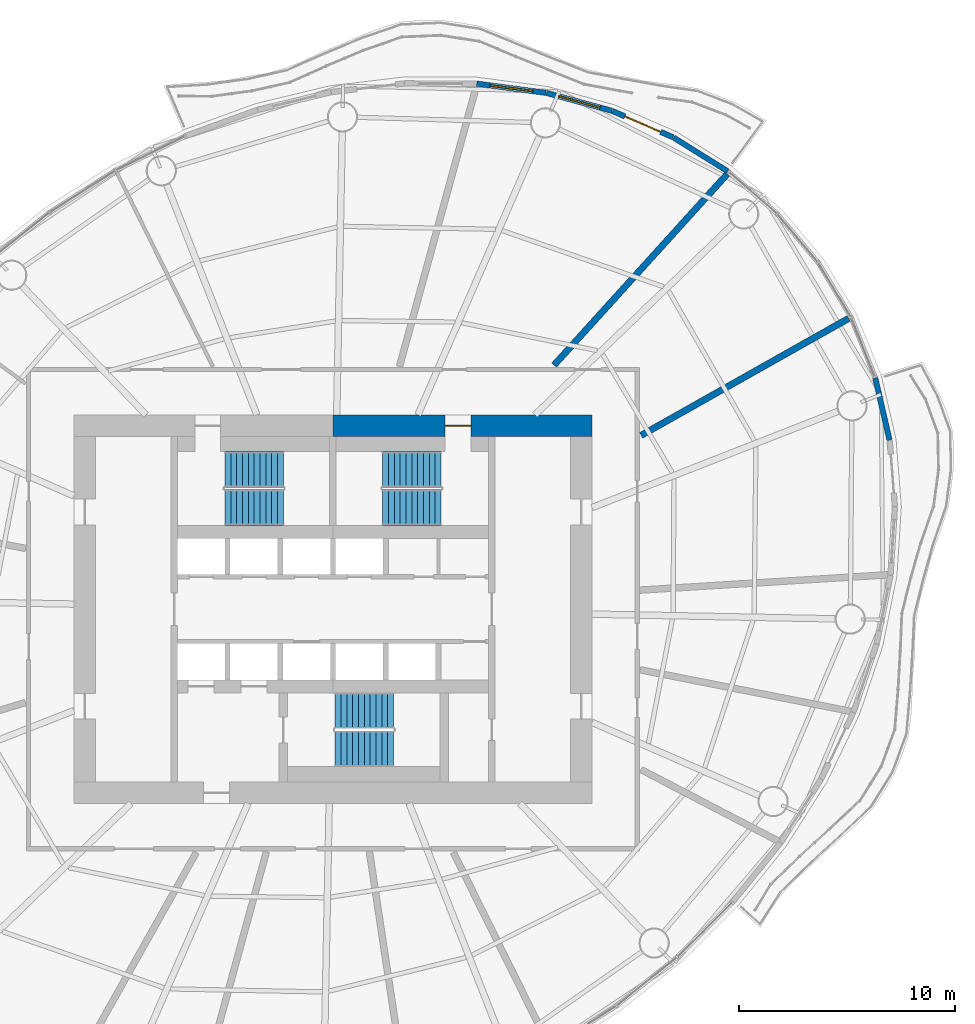
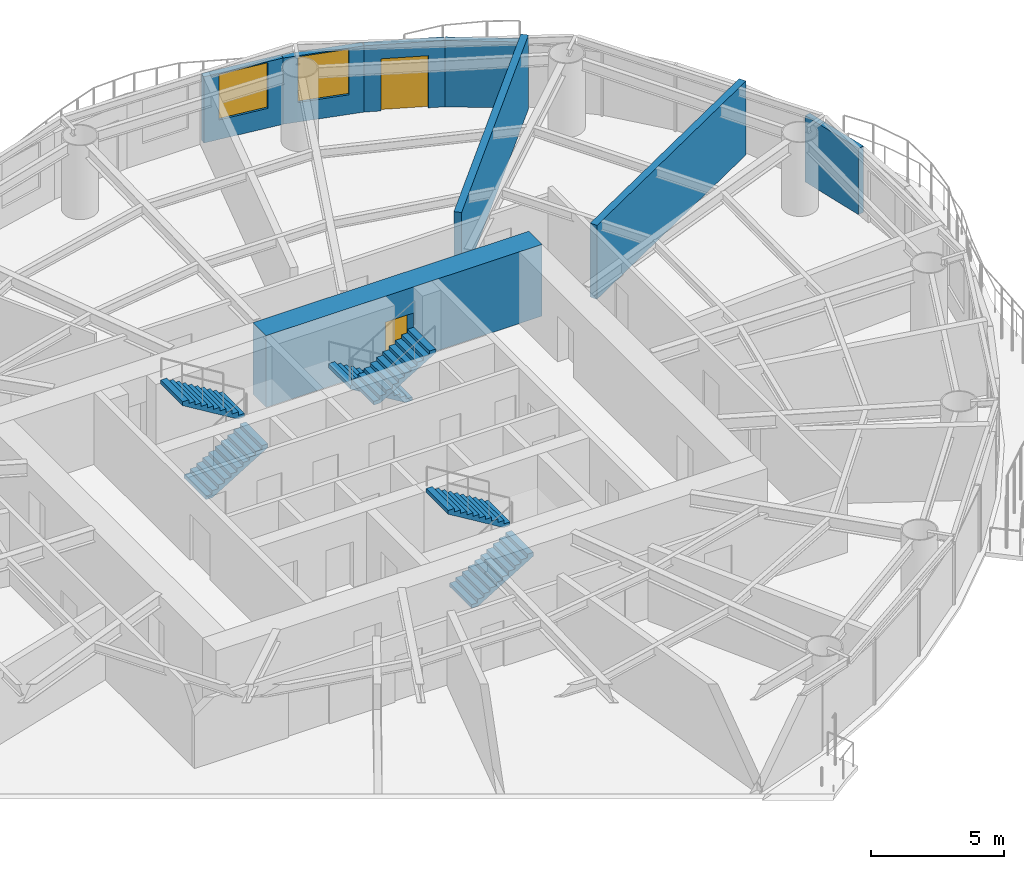
# One storey, part 11 of 15: 8 walls, 6 stair flights, 2 doors, 2 windows, 4 openings, 3 elements without a shape of their own.
"""IFC4 building model written with IfcOpenShell, lengths in metres."""

import ifcopenshell
import ifcopenshell.guid

model = None  # the IFC model being written
_history = None  # IfcOwnerHistory: only IFC2X3 demands one
_inside = {}  # id of a spatial element -> (the spatial element, [elements in it])
_under = {}  # id of a project, library or spatial element -> (it, [spatial elements below it])
_declared = {}  # id of a project -> (the project, [libraries it declares])
_typed = {}  # id of a type object -> (the type object, [elements of that type])
_made_of = {}  # id of a material, layer set ... -> (it, [elements and type objects made of it])


def new_model(schema):
    """Start an empty IFC model of exactly this schema.

    Asked for "IFC4X3", IfcOpenShell would pick the latest addendum, in which some entities
    have other attributes; the version numbers below select the first issue.
    IFC2X3 requires an IfcOwnerHistory on every rooted entity: one is made here for all.
    """
    global model, _history
    if schema == "IFC4X3":
        model = ifcopenshell.file(schema_version=(4, 3, 0, 0))
    else:
        model = ifcopenshell.file(schema=schema)
    _inside.clear()
    _under.clear()
    _declared.clear()
    _typed.clear()
    _made_of.clear()
    _history = None
    if model.schema == "IFC2X3":
        org = make("IfcOrganization", Name="unknown")
        user = make(
            "IfcPersonAndOrganization",
            ThePerson=make("IfcPerson", FamilyName="unknown"),
            TheOrganization=org,
        )
        app = make(
            "IfcApplication",
            ApplicationDeveloper=org,
            Version="unknown",
            ApplicationFullName="unknown",
            ApplicationIdentifier="unknown",
        )
        _history = make(
            "IfcOwnerHistory",
            OwningUser=user,
            OwningApplication=app,
            ChangeAction="ADDED",
            CreationDate=0,
        )
    return model


def make(cls, **values):
    """One entity of the class cls with the attributes given. An attribute that is None is left unset."""
    return model.create_entity(
        cls, **{name: value for name, value in values.items() if value is not None}
    )


def rooted(cls, **values):
    """An entity with a GlobalId (a new one), such as an element, a storey or a relation."""
    return make(cls, GlobalId=ifcopenshell.guid.new(), OwnerHistory=_history, **values)


def si_unit(unit_type, name, prefix=None):
    """IfcSIUnit, for example si_unit("LENGTHUNIT", "METRE", prefix="MILLI")."""
    return make("IfcSIUnit", UnitType=unit_type, Prefix=prefix, Name=name)


def assignment(units):
    """IfcUnitAssignment: the units of a project."""
    return None if units is None else make("IfcUnitAssignment", Units=units)


def point(xyz):
    """IfcCartesianPoint."""
    return None if xyz is None else make("IfcCartesianPoint", Coordinates=xyz)


def direction(xyz):
    """IfcDirection."""
    return None if xyz is None else make("IfcDirection", DirectionRatios=xyz)


def frame(location, z_axis=None, x_axis=None):
    """IfcAxis2Placement3D, a coordinate frame: its origin and axes. An axis left out is left unset."""
    return make(
        "IfcAxis2Placement3D",
        Location=point(location),
        Axis=direction(z_axis),
        RefDirection=direction(x_axis),
    )


def frame_2d(location, x_axis=None):
    """IfcAxis2Placement2D, a coordinate frame in the plane: its origin and x axis."""
    return make(
        "IfcAxis2Placement2D", Location=point(location), RefDirection=direction(x_axis)
    )


def origin():
    """The frame at (0, 0, 0) with its axes left unset."""
    return frame((0.0, 0.0, 0.0))


def place(relative_to, where):
    """IfcLocalPlacement: puts the frame where relative to a parent placement (None: the world)."""
    return make(
        "IfcLocalPlacement", PlacementRelTo=relative_to, RelativePlacement=where
    )


def context(
    kind, dimensions, precision=None, world=None, true_north=None, identifier=None
):
    """IfcGeometricRepresentationContext, for example the 3D "Model" context."""
    return make(
        "IfcGeometricRepresentationContext",
        ContextIdentifier=identifier,
        ContextType=kind,
        CoordinateSpaceDimension=dimensions,
        Precision=precision,
        WorldCoordinateSystem=world,
        TrueNorth=true_north,
    )


def subcontext(parent, identifier, kind, view, scale=None):
    """IfcGeometricRepresentationSubContext, for example "Body" below "Model"."""
    return make(
        "IfcGeometricRepresentationSubContext",
        ContextIdentifier=identifier,
        ContextType=kind,
        ParentContext=parent,
        TargetScale=scale,
        TargetView=view,
    )


def project(units=None, contexts=None):
    """IfcProject with its units and contexts."""
    return rooted(
        "IfcProject",
        Name="project",
        RepresentationContexts=contexts,
        UnitsInContext=assignment(units),
    )


def spatial(cls, under=None, at=None, **own):
    """A site, building, storey or space (cls), placed at a placement, below another one or the project."""
    s = rooted(cls, ObjectPlacement=at, **own)
    if under is not None:
        _under.setdefault(under.id(), (under, []))[1].append(s)
    return s


def polyline(points):
    """IfcPolyline through the points."""
    return make("IfcPolyline", Points=[point(p) for p in points])


def profile(cls, at=None, kind="AREA", **sizes):
    """A parametric profile (cls). Its sizes go by their IFC names, for example OverallWidth=200.0."""
    return make(cls, ProfileType=kind, Position=at, **sizes)


def rectangle(**sizes):
    """IfcRectangleProfileDef."""
    return profile("IfcRectangleProfileDef", **sizes)


def outline(outer, holes=None, kind="AREA"):
    """IfcArbitraryClosedProfileDef: a profile drawn as a closed curve; with holes, ...WithVoids."""
    if holes is None:
        return make("IfcArbitraryClosedProfileDef", ProfileType=kind, OuterCurve=outer)
    return make(
        "IfcArbitraryProfileDefWithVoids",
        ProfileType=kind,
        OuterCurve=outer,
        InnerCurves=holes,
    )


def extrude(swept, where, along, depth):
    """IfcExtrudedAreaSolid: the profile swept, set in the frame where, extruded along a direction by depth."""
    return make(
        "IfcExtrudedAreaSolid",
        SweptArea=swept,
        Position=where,
        ExtrudedDirection=direction(along),
        Depth=depth,
    )


def shape(context_of_items, identifier, shape_type, items):
    """IfcShapeRepresentation: the items that make up one representation, for example the "Body"."""
    return make(
        "IfcShapeRepresentation",
        ContextOfItems=context_of_items,
        RepresentationIdentifier=identifier,
        RepresentationType=shape_type,
        Items=items,
    )


def material(Name=None, Category=None):
    """IfcMaterial."""
    return make("IfcMaterial", Name=Name, Category=Category)


def layer(
    of_material, thickness, ventilated=None, Name=None, Category=None, Priority=None
):
    """IfcMaterialLayer: one layer of a wall or slab, of a material (None: an air gap)."""
    return make(
        "IfcMaterialLayer",
        Material=of_material,
        LayerThickness=thickness,
        IsVentilated=ventilated,
        Name=Name,
        Category=Category,
        Priority=Priority,
    )


def layer_set(layers, Name=None):
    """IfcMaterialLayerSet."""
    return make("IfcMaterialLayerSet", MaterialLayers=layers, LayerSetName=Name)


def made_of(thing, what):
    """Note that an element or type object is made of a material, layer set ...; save() writes the relation."""
    if what is not None:
        _made_of.setdefault(what.id(), (what, []))[1].append(thing)
    return thing


def type_object(cls, material=None, **own):
    """A type object (cls), such as IfcWallType, which elements share."""
    return made_of(rooted(cls, **own), material)


def element(
    cls,
    number,
    at=None,
    inside=None,
    cuts=None,
    type_object=None,
    material=None,
    context=None,
    identifier="Body",
    shape_type=None,
    held_by="IfcProductDefinitionShape",
    body=None,
    shapes=None,
    **own,
):
    """One element of the class cls, such as IfcWall. Its Tag is "e" and its number.

    at: its placement. inside: the storey or other place that contains it. cuts: it is an
    opening in that element (IfcRelVoidsElement). A single representation is given by context,
    identifier, shape_type and body (its items); several are given by shapes. held_by: the class
    of the entity that holds the representations. save() writes the other relations.
    """
    e = rooted(cls, Tag="e%d" % number, ObjectPlacement=at, **own)
    if body is not None:
        shapes = [shape(context, identifier, shape_type, body)]
    if shapes is not None:
        e.Representation = make(held_by, Representations=shapes)
    if inside is not None:
        _inside.setdefault(inside.id(), (inside, []))[1].append(e)
    if cuts is not None:
        rooted(
            "IfcRelVoidsElement", RelatingBuildingElement=cuts, RelatedOpeningElement=e
        )
    if type_object is not None:
        _typed.setdefault(type_object.id(), (type_object, []))[1].append(e)
    return made_of(e, material)


def fill(opening, filler):
    """IfcRelFillsElement: the door or window that sits in an opening."""
    return rooted(
        "IfcRelFillsElement",
        RelatingOpeningElement=opening,
        RelatedBuildingElement=filler,
    )


def aggregate(whole, parts):
    """IfcRelAggregates: a whole, such as a stair, and the parts it consists of."""
    return rooted("IfcRelAggregates", RelatingObject=whole, RelatedObjects=parts)


def save(model, path):
    """Write the relations noted so far, then the file.

    IfcRelAggregates (storeys below a building ...), IfcRelContainedInSpatialStructure (elements
    in a storey), IfcRelDefinesByType, IfcRelAssociatesMaterial and IfcRelDeclares: one each for
    every whole, place, type object, material and project.
    """
    for whole, parts in _under.values():
        aggregate(whole, parts)
    for where, things in _inside.values():
        rooted(
            "IfcRelContainedInSpatialStructure",
            RelatedElements=things,
            RelatingStructure=where,
        )
    for kind, things in _typed.values():
        rooted("IfcRelDefinesByType", RelatedObjects=things, RelatingType=kind)
    for what, things in _made_of.values():
        rooted("IfcRelAssociatesMaterial", RelatedObjects=things, RelatingMaterial=what)
    for by, libraries in _declared.values():
        rooted("IfcRelDeclares", RelatingContext=by, RelatedDefinitions=libraries)
    model.write(path)


model = new_model("IFC4")

# Units and contexts
model_context = context("Model", 3, precision=1e-05, world=origin(), true_north=direction((0.0, 1.0)))
body_context = subcontext(model_context, "Body", "Model", "MODEL_VIEW")
ifc_project = project(units=[si_unit("LENGTHUNIT", "METRE"), si_unit("AREAUNIT", "SQUARE_METRE"), si_unit("VOLUMEUNIT", "CUBIC_METRE"), si_unit("PLANEANGLEUNIT", "RADIAN"), si_unit("MASSUNIT", "GRAM", prefix="KILO")], contexts=[model_context])

# Site, building, storey
site_placement = place(None, origin())
site = spatial("IfcSite", under=ifc_project, at=site_placement, CompositionType="ELEMENT")
building_placement = place(site_placement, origin())
building = spatial("IfcBuilding", under=site, at=building_placement, Name="Vermilion Reach Broadcast Tower", CompositionType="ELEMENT")
storey_placement = place(building_placement, frame((0.0, 0.0, 175.800048828125)))
storey = spatial("IfcBuildingStorey", under=building, at=storey_placement, Name="L42", CompositionType="ELEMENT", Elevation=175.800048828125)

# Wall, opening, door
ifc_material_1 = material(Name="Concrete C70", Category="concrete")
ifc_layer_1 = layer(ifc_material_1, 1.0)
ifc_layer_set_1 = layer_set([ifc_layer_1], Name="Core outer wall 1000 mm Concrete C70")
wall_type_1 = type_object("IfcWallType", Name="Core outer wall 1000 mm Concrete C70", PredefinedType="SHEAR", material=ifc_layer_set_1)
wall_1_placement = place(storey_placement, frame((6.0, 8.5, 0.0), z_axis=(0.0, 0.0, 1.0), x_axis=(-1.0, 0.0, 0.0)))
wall_1 = element("IfcWall", 1, at=wall_1_placement, inside=storey, type_object=wall_type_1, Name="L42 core wall onE", PredefinedType="SHEAR", context=body_context, shape_type="SweptSolid", body=[
    extrude(rectangle(XDim=12.0, YDim=1.0, at=frame_2d((6.0, 0.0))), origin(), (0.0, 0.0, 1.0), 3.300048828125),
])
opening_1_placement = place(wall_1_placement, frame((5.60009765625, 0.0, 0.0)))
opening_1 = element("IfcOpeningElement", 2, at=opening_1_placement, cuts=wall_1, Name="Opening D01", PredefinedType="OPENING", context=body_context, shape_type="SweptSolid", body=[
    extrude(rectangle(XDim=1.199951171875, YDim=2.10009765625, at=frame_2d((0.60009765625, 1.050048828125))), frame((0.0, 0.510009765625, 0.0), z_axis=(0.0, -1.0, 0.0), x_axis=(1.0, 0.0, 0.0)), (0.0, 0.0, 1.0), 1.02001953125),
])
ifc_material_2 = material(Name="Painted steel fire door", Category="steel")
door_type_1 = type_object("IfcDoorType", Name="Stair door 1200 x 2100", OperationType="DOUBLE_DOOR_SINGLE_SWING", PredefinedType="NOTDEFINED", material=ifc_material_2)
door_1_placement = place(opening_1_placement, origin())
door_1 = element("IfcDoor", 3, at=door_1_placement, inside=storey, type_object=door_type_1, Name="L42 stair door ST2", OperationType="DOUBLE_DOOR_SINGLE_SWING", OverallHeight=2.10009765625, OverallWidth=1.199951171875, PredefinedType="NOTDEFINED", context=body_context, shape_type="SweptSolid", body=[
    extrude(rectangle(XDim=1.199951171875, YDim=2.10009765625, at=frame_2d((0.60009765625, 1.050048828125))), frame((0.0, 0.02490234375, 0.0), z_axis=(0.0, -1.0, 0.0), x_axis=(1.0, 0.0, 0.0)), (0.0, 0.0, 1.0), 0.050048828125),
])
fill(opening_1, door_1)

# Walls
ifc_material_3 = material(Name="Double-leaf plasterboard on isolated steel stud", Category="steel")
ifc_layer_2 = layer(ifc_material_3, 0.300048828125)
ifc_layer_set_2 = layer_set([ifc_layer_2], Name="Partition 300 acoustic double leaf")
wall_type_2 = type_object("IfcWallType", Name="Partition 300 acoustic double leaf", PredefinedType="PARTITIONING", material=ifc_layer_set_2)
wall_2_placement = place(storey_placement, frame((12.25830078125, 20.146240234375, 0.0), z_axis=(0.0, 0.0, 1.0), x_axis=(-0.671538022576, -0.740970096721, 0.0)))
element("IfcWall", 4, at=wall_2_placement, inside=storey, type_object=wall_type_2, Name="Partition 42.01", PredefinedType="PARTITIONING", context=body_context, shape_type="SweptSolid", body=[
    extrude(rectangle(XDim=11.937744140625, YDim=0.300048828125, at=frame_2d((5.96875, 0.0))), origin(), (0.0, 0.0, 1.0), 3.39990234375),
])
wall_3_placement = place(storey_placement, frame((17.885009765625, 13.463134765625, 0.0), z_axis=(0.0, 0.0, 1.0), x_axis=(-0.871144981066, -0.491025887265, 0.0)))
element("IfcWall", 5, at=wall_3_placement, inside=storey, type_object=wall_type_2, Name="Partition 42.14", PredefinedType="PARTITIONING", context=body_context, shape_type="SweptSolid", body=[
    extrude(rectangle(XDim=11.032958984375, YDim=0.300048828125, at=frame_2d((5.5166015625, 0.0))), origin(), (0.0, 0.0, 1.0), 3.39990234375),
])
ifc_material_4 = material(Name="Terracotta rainscreen cladding", Category="masonry")
ifc_layer_3 = layer(ifc_material_4, 0.25)
ifc_layer_set_3 = layer_set([ifc_layer_3], Name="Terracotta rainscreen wall 250")
wall_type_3 = type_object("IfcWallType", Name="Terracotta rainscreen wall 250", PredefinedType="SOLIDWALL", material=ifc_layer_set_3)
wall_4_placement = place(storey_placement, frame((12.28564453125, 20.276123046875, 0.0), z_axis=(0.0, 0.0, 1.0), x_axis=(-0.848248973031, 0.529597658371, 0.0)))
element("IfcWall", 6, at=wall_4_placement, inside=storey, type_object=wall_type_3, Name="External wall L42 02", PredefinedType="SOLIDWALL", context=body_context, shape_type="SweptSolid", body=[
    extrude(rectangle(XDim=2.95361328125, YDim=0.25, at=frame_2d((1.476806640625, 0.0))), origin(), (0.0, 0.0, 1.0), 3.050048828125),
])

# Wall, opening, door
wall_5_placement = place(storey_placement, frame((9.7568359375, 21.8525390625, 0.0), z_axis=(0.0, 0.0, 1.0), x_axis=(-0.917458663887, 0.397831120023, 0.0)))
wall_5 = element("IfcWall", 7, at=wall_5_placement, inside=storey, type_object=wall_type_3, Name="External wall L42 03", PredefinedType="SOLIDWALL", context=body_context, shape_type="SweptSolid", body=[
    extrude(rectangle(XDim=3.06298828125, YDim=0.25, at=frame_2d((1.531494140625, 0.0))), origin(), (0.0, 0.0, 1.0), 3.050048828125),
])
opening_2_placement = place(wall_5_placement, frame((0.631103515625, 0.0, 0.0)))
opening_2 = element("IfcOpeningElement", 8, at=opening_2_placement, cuts=wall_5, Name="Opening D70", PredefinedType="OPENING", context=body_context, shape_type="SweptSolid", body=[
    extrude(rectangle(XDim=1.800048828125, YDim=2.39990234375, at=frame_2d((0.89990234375, 1.199951171875))), frame((0.0, 0.135009765625, 0.0), z_axis=(0.0, -1.0, 0.0), x_axis=(1.0, 0.0, 0.0)), (0.0, 0.0, 1.0), 0.27001953125),
])
ifc_material_5 = material(Name="Low-e laminated clear glass in aluminium frame", Category="aluminium")
door_type_2 = type_object("IfcDoorType", Name="Balcony sliding door 1800 x 2400", OperationType="DOUBLE_DOOR_SLIDING", PredefinedType="DOOR", material=ifc_material_5)
door_2_placement = place(opening_2_placement, origin())
door_2 = element("IfcDoor", 9, at=door_2_placement, inside=storey, type_object=door_type_2, Name="Balcony door L42 run 01", OperationType="DOUBLE_DOOR_SLIDING", OverallHeight=2.39990234375, OverallWidth=1.800048828125, PredefinedType="DOOR", context=body_context, shape_type="SweptSolid", body=[
    extrude(rectangle(XDim=1.800048828125, YDim=2.39990234375, at=frame_2d((0.89990234375, 1.199951171875))), frame((0.0, 0.02490234375, 0.0), z_axis=(0.0, -1.0, 0.0), x_axis=(1.0, 0.0, 0.0)), (0.0, 0.0, 1.0), 0.050048828125),
])
fill(opening_2, door_2)

# Wall, opening, window
wall_6_placement = place(storey_placement, frame((6.92236328125, 23.07958984375, 0.0), z_axis=(0.0, 0.0, 1.0), x_axis=(-0.964636462647, 0.263583942857, 0.0)))
wall_6 = element("IfcWall", 10, at=wall_6_placement, inside=storey, type_object=wall_type_3, Name="External wall L42 04", PredefinedType="SOLIDWALL", context=body_context, shape_type="SweptSolid", body=[
    extrude(rectangle(XDim=3.1435546875, YDim=0.25, at=frame_2d((1.57177734375, 0.0))), origin(), (0.0, 0.0, 1.0), 3.050048828125),
])
opening_3_placement = place(wall_6_placement, frame((0.572021484375, 0.0, 0.89990234375)))
opening_3 = element("IfcOpeningElement", 11, at=opening_3_placement, cuts=wall_6, Name="Opening W03", PredefinedType="OPENING", context=body_context, shape_type="SweptSolid", body=[
    extrude(rectangle(XDim=2.0, YDim=2.10009765625, at=frame_2d((1.0, 1.050048828125))), frame((0.0, 0.135009765625, 0.0), z_axis=(0.0, -1.0, 0.0), x_axis=(1.0, 0.0, 0.0)), (0.0, 0.0, 1.0), 0.27001953125),
])
ifc_material_6 = material(Name="Low-e laminated clear glass in aluminium frame", Category="aluminium")
window_type = type_object("IfcWindowType", Name="Punched window 2000 x 2100 sill 900", PartitioningType="SINGLE_PANEL", PredefinedType="WINDOW", material=ifc_material_6)
window_1_placement = place(opening_3_placement, origin())
window_1 = element("IfcWindow", 12, at=window_1_placement, inside=storey, type_object=window_type, Name="Window L42 04", OverallHeight=2.10009765625, OverallWidth=2.0, PartitioningType="SINGLE_PANEL", PredefinedType="WINDOW", context=body_context, shape_type="SweptSolid", body=[
    extrude(rectangle(XDim=2.0, YDim=2.10009765625, at=frame_2d((1.0, 1.050048828125))), frame((0.0, 0.030029296875, 0.0), z_axis=(0.0, -1.0, 0.0), x_axis=(1.0, 0.0, 0.0)), (0.0, 0.0, 1.0), 0.06005859375),
])
fill(opening_3, window_1)

wall_7_placement = place(storey_placement, frame((3.865478515625, 23.913330078125, 0.0), z_axis=(0.0, 0.0, 1.0), x_axis=(-0.991363289686, 0.131144301676, 0.0)))
wall_7 = element("IfcWall", 13, at=wall_7_placement, inside=storey, type_object=wall_type_3, Name="External wall L42 05", PredefinedType="SOLIDWALL", context=body_context, shape_type="SweptSolid", body=[
    extrude(rectangle(XDim=3.231689453125, YDim=0.25, at=frame_2d((1.61572265625, 0.0))), origin(), (0.0, 0.0, 1.0), 3.050048828125),
])
opening_4_placement = place(wall_7_placement, frame((0.615966796875, 0.0, 0.89990234375)))
opening_4 = element("IfcOpeningElement", 14, at=opening_4_placement, cuts=wall_7, Name="Opening W03", PredefinedType="OPENING", context=body_context, shape_type="SweptSolid", body=[
    extrude(rectangle(XDim=2.0, YDim=2.10009765625, at=frame_2d((1.0, 1.050048828125))), frame((0.0, 0.135009765625, 0.0), z_axis=(0.0, -1.0, 0.0), x_axis=(1.0, 0.0, 0.0)), (0.0, 0.0, 1.0), 0.27001953125),
])
window_2_placement = place(opening_4_placement, origin())
window_2 = element("IfcWindow", 15, at=window_2_placement, inside=storey, type_object=window_type, Name="Window L42 05", OverallHeight=2.10009765625, OverallWidth=2.0, PartitioningType="SINGLE_PANEL", PredefinedType="WINDOW", context=body_context, shape_type="SweptSolid", body=[
    extrude(rectangle(XDim=2.0, YDim=2.10009765625, at=frame_2d((1.0, 1.050048828125))), frame((0.0, 0.030029296875, 0.0), z_axis=(0.0, -1.0, 0.0), x_axis=(1.0, 0.0, 0.0)), (0.0, 0.0, 1.0), 0.06005859375),
])
fill(opening_4, window_2)

# Wall
wall_8_placement = place(storey_placement, frame((19.782470703125, 7.828125, 0.0), z_axis=(0.0, 0.0, 1.0), x_axis=(-0.22524585032, 0.974301958796, 0.0)))
element("IfcWall", 16, at=wall_8_placement, inside=storey, type_object=wall_type_3, Name="External wall L42 45", PredefinedType="SOLIDWALL", context=body_context, shape_type="SweptSolid", body=[
    extrude(rectangle(XDim=2.95361328125, YDim=0.25, at=frame_2d((1.476806640625, 0.0))), origin(), (0.0, 0.0, 1.0), 3.050048828125),
])

# Stair, stair flights
ifc_material_7 = material(Name="Concrete C40", Category="concrete")
stair_type = type_object("IfcStairType", Name="Exit stair RC 22 risers 164 mm", PredefinedType="HALF_TURN_STAIR", material=ifc_material_7)
placement = place(storey_placement, origin())
stair_1 = element("IfcStair", 17, at=placement, inside=storey, type_object=stair_type, Name="L42 Exit stair ST1", PredefinedType="HALF_TURN_STAIR")
ifc_material_8 = material(Name="Concrete C40", Category="concrete")
stair_flight_type = type_object("IfcStairFlightType", Name="Exit stair flight RC 11 risers", PredefinedType="STRAIGHT", material=ifc_material_8)
stair_flight_1_placement = place(storey_placement, frame((-11.0, 4.7099609375, 0.0), z_axis=(0.0, 0.0, 1.0), x_axis=(1.0, 0.0, 0.0)))
stair_flight_1 = element("IfcStairFlight", 18, at=stair_flight_1_placement, type_object=stair_flight_type, Name="ST1 flight 1", NumberOfRisers=11, NumberOfTreads=10, PredefinedType="STRAIGHT", RiserHeight=0.163636364, TreadLength=0.27, context=body_context, shape_type="SweptSolid", body=[
    extrude(outline(polyline([(0.0, 0.0), (0.0, 0.16357421875), (0.27001953125, 0.16357421875), (0.27001953125, 0.327392578125), (0.5400390625, 0.327392578125), (0.5400390625, 0.490966796875), (0.81005859375, 0.490966796875), (0.81005859375, 0.654541015625), (1.080078125, 0.654541015625), (1.080078125, 0.818115234375), (1.35009765625, 0.818115234375), (1.35009765625, 0.98193359375), (1.6201171875, 0.98193359375), (1.6201171875, 1.1455078125), (1.889892578125, 1.1455078125), (1.889892578125, 1.30908203125), (2.159912109375, 1.30908203125), (2.159912109375, 1.47265625), (2.429931640625, 1.47265625), (2.429931640625, 1.636474609375), (2.699951171875, 1.636474609375), (2.699951171875, 1.800048828125), (2.699951171875, 1.461181640625), (0.289306640625, 0.0), (0.0, 0.0)])), frame((0.0, 0.830078125, 0.0), z_axis=(0.0, -1.0, 0.0), x_axis=(1.0, 0.0, 0.0)), (0.0, 0.0, 1.0), 1.659912109375),
])
stair_flight_2_placement = place(storey_placement, frame((-8.300048828125, 6.469970703125, 1.800048828125), z_axis=(0.0, 0.0, 1.0), x_axis=(-1.0, 0.0, 0.0)))
stair_flight_2 = element("IfcStairFlight", 19, at=stair_flight_2_placement, type_object=stair_flight_type, Name="ST1 flight 2", NumberOfRisers=11, NumberOfTreads=10, PredefinedType="STRAIGHT", RiserHeight=0.163636364, TreadLength=0.27, context=body_context, shape_type="SweptSolid", body=[
    extrude(outline(polyline([(0.0, 0.0), (0.0, 0.16357421875), (0.27001953125, 0.16357421875), (0.27001953125, 0.327392578125), (0.5400390625, 0.327392578125), (0.5400390625, 0.490966796875), (0.81005859375, 0.490966796875), (0.81005859375, 0.654541015625), (1.080078125, 0.654541015625), (1.080078125, 0.818115234375), (1.35009765625, 0.818115234375), (1.35009765625, 0.98193359375), (1.6201171875, 0.98193359375), (1.6201171875, 1.1455078125), (1.889892578125, 1.1455078125), (1.889892578125, 1.30908203125), (2.159912109375, 1.30908203125), (2.159912109375, 1.47265625), (2.429931640625, 1.47265625), (2.429931640625, 1.636474609375), (2.699951171875, 1.636474609375), (2.699951171875, 1.800048828125), (2.699951171875, 1.461181640625), (0.289306640625, 0.0), (0.0, 0.0)])), frame((0.0, 0.830078125, 0.0), z_axis=(0.0, -1.0, 0.0), x_axis=(1.0, 0.0, 0.0)), (0.0, 0.0, 1.0), 1.659912109375),
])
aggregate(stair_1, [stair_flight_1, stair_flight_2])

stair_2 = element("IfcStair", 20, at=placement, inside=storey, type_object=stair_type, Name="L42 Exit stair ST2", PredefinedType="HALF_TURN_STAIR")
stair_flight_3_placement = place(storey_placement, frame((-1.0, 6.469970703125, 0.0), z_axis=(0.0, 0.0, 1.0), x_axis=(-1.0, 0.0, 0.0)))
stair_flight_3 = element("IfcStairFlight", 21, at=stair_flight_3_placement, type_object=stair_flight_type, Name="ST2 flight 1", NumberOfRisers=11, NumberOfTreads=10, PredefinedType="STRAIGHT", RiserHeight=0.163636364, TreadLength=0.27, context=body_context, shape_type="SweptSolid", body=[
    extrude(outline(polyline([(0.0, 0.0), (0.0, 0.16357421875), (0.27001953125, 0.16357421875), (0.27001953125, 0.327392578125), (0.5400390625, 0.327392578125), (0.5400390625, 0.490966796875), (0.81005859375, 0.490966796875), (0.81005859375, 0.654541015625), (1.080078125, 0.654541015625), (1.080078125, 0.818115234375), (1.35009765625, 0.818115234375), (1.35009765625, 0.98193359375), (1.6201171875, 0.98193359375), (1.6201171875, 1.1455078125), (1.889892578125, 1.1455078125), (1.889892578125, 1.30908203125), (2.159912109375, 1.30908203125), (2.159912109375, 1.47265625), (2.429931640625, 1.47265625), (2.429931640625, 1.636474609375), (2.699951171875, 1.636474609375), (2.699951171875, 1.800048828125), (2.699951171875, 1.461181640625), (0.289306640625, 0.0), (0.0, 0.0)])), frame((0.0, 0.830078125, 0.0), z_axis=(0.0, -1.0, 0.0), x_axis=(1.0, 0.0, 0.0)), (0.0, 0.0, 1.0), 1.659912109375),
])
stair_flight_4_placement = place(storey_placement, frame((-3.699951171875, 4.7099609375, 1.800048828125), z_axis=(0.0, 0.0, 1.0), x_axis=(1.0, 0.0, 0.0)))
stair_flight_4 = element("IfcStairFlight", 22, at=stair_flight_4_placement, type_object=stair_flight_type, Name="ST2 flight 2", NumberOfRisers=11, NumberOfTreads=10, PredefinedType="STRAIGHT", RiserHeight=0.163636364, TreadLength=0.27, context=body_context, shape_type="SweptSolid", body=[
    extrude(outline(polyline([(0.0, 0.0), (0.0, 0.16357421875), (0.27001953125, 0.16357421875), (0.27001953125, 0.327392578125), (0.5400390625, 0.327392578125), (0.5400390625, 0.490966796875), (0.81005859375, 0.490966796875), (0.81005859375, 0.654541015625), (1.080078125, 0.654541015625), (1.080078125, 0.818115234375), (1.35009765625, 0.818115234375), (1.35009765625, 0.98193359375), (1.6201171875, 0.98193359375), (1.6201171875, 1.1455078125), (1.889892578125, 1.1455078125), (1.889892578125, 1.30908203125), (2.159912109375, 1.30908203125), (2.159912109375, 1.47265625), (2.429931640625, 1.47265625), (2.429931640625, 1.636474609375), (2.699951171875, 1.636474609375), (2.699951171875, 1.800048828125), (2.699951171875, 1.461181640625), (0.289306640625, 0.0), (0.0, 0.0)])), frame((0.0, 0.830078125, 0.0), z_axis=(0.0, -1.0, 0.0), x_axis=(1.0, 0.0, 0.0)), (0.0, 0.0, 1.0), 1.659912109375),
])
aggregate(stair_2, [stair_flight_3, stair_flight_4])

stair_3 = element("IfcStair", 23, at=placement, inside=storey, type_object=stair_type, Name="L42 Exit stair ST3", PredefinedType="HALF_TURN_STAIR")
stair_flight_5_placement = place(storey_placement, frame((-5.89990234375, -6.469970703125, 0.0), z_axis=(0.0, 0.0, 1.0), x_axis=(1.0, 0.0, 0.0)))
stair_flight_5 = element("IfcStairFlight", 24, at=stair_flight_5_placement, type_object=stair_flight_type, Name="ST3 flight 1", NumberOfRisers=11, NumberOfTreads=10, PredefinedType="STRAIGHT", RiserHeight=0.163636364, TreadLength=0.27, context=body_context, shape_type="SweptSolid", body=[
    extrude(outline(polyline([(0.0, 0.0), (0.0, 0.16357421875), (0.27001953125, 0.16357421875), (0.27001953125, 0.327392578125), (0.5400390625, 0.327392578125), (0.5400390625, 0.490966796875), (0.81005859375, 0.490966796875), (0.81005859375, 0.654541015625), (1.080078125, 0.654541015625), (1.080078125, 0.818115234375), (1.35009765625, 0.818115234375), (1.35009765625, 0.98193359375), (1.6201171875, 0.98193359375), (1.6201171875, 1.1455078125), (1.889892578125, 1.1455078125), (1.889892578125, 1.30908203125), (2.159912109375, 1.30908203125), (2.159912109375, 1.47265625), (2.429931640625, 1.47265625), (2.429931640625, 1.636474609375), (2.699951171875, 1.636474609375), (2.699951171875, 1.800048828125), (2.699951171875, 1.461181640625), (0.289306640625, 0.0), (0.0, 0.0)])), frame((0.0, 0.830078125, 0.0), z_axis=(0.0, -1.0, 0.0), x_axis=(1.0, 0.0, 0.0)), (0.0, 0.0, 1.0), 1.659912109375),
])
stair_flight_6_placement = place(storey_placement, frame((-3.199951171875, -4.7099609375, 1.800048828125), z_axis=(0.0, 0.0, 1.0), x_axis=(-1.0, 0.0, 0.0)))
stair_flight_6 = element("IfcStairFlight", 25, at=stair_flight_6_placement, type_object=stair_flight_type, Name="ST3 flight 2", NumberOfRisers=11, NumberOfTreads=10, PredefinedType="STRAIGHT", RiserHeight=0.163636364, TreadLength=0.27, context=body_context, shape_type="SweptSolid", body=[
    extrude(outline(polyline([(0.0, 0.0), (0.0, 0.16357421875), (0.27001953125, 0.16357421875), (0.27001953125, 0.327392578125), (0.5400390625, 0.327392578125), (0.5400390625, 0.490966796875), (0.81005859375, 0.490966796875), (0.81005859375, 0.654541015625), (1.080078125, 0.654541015625), (1.080078125, 0.818115234375), (1.35009765625, 0.818115234375), (1.35009765625, 0.98193359375), (1.6201171875, 0.98193359375), (1.6201171875, 1.1455078125), (1.889892578125, 1.1455078125), (1.889892578125, 1.30908203125), (2.159912109375, 1.30908203125), (2.159912109375, 1.47265625), (2.429931640625, 1.47265625), (2.429931640625, 1.636474609375), (2.699951171875, 1.636474609375), (2.699951171875, 1.800048828125), (2.699951171875, 1.461181640625), (0.289306640625, 0.0), (0.0, 0.0)])), frame((0.0, 0.830078125, 0.0), z_axis=(0.0, -1.0, 0.0), x_axis=(1.0, 0.0, 0.0)), (0.0, 0.0, 1.0), 1.659912109375),
])
aggregate(stair_3, [stair_flight_5, stair_flight_6])

save(model, "model.ifc")
